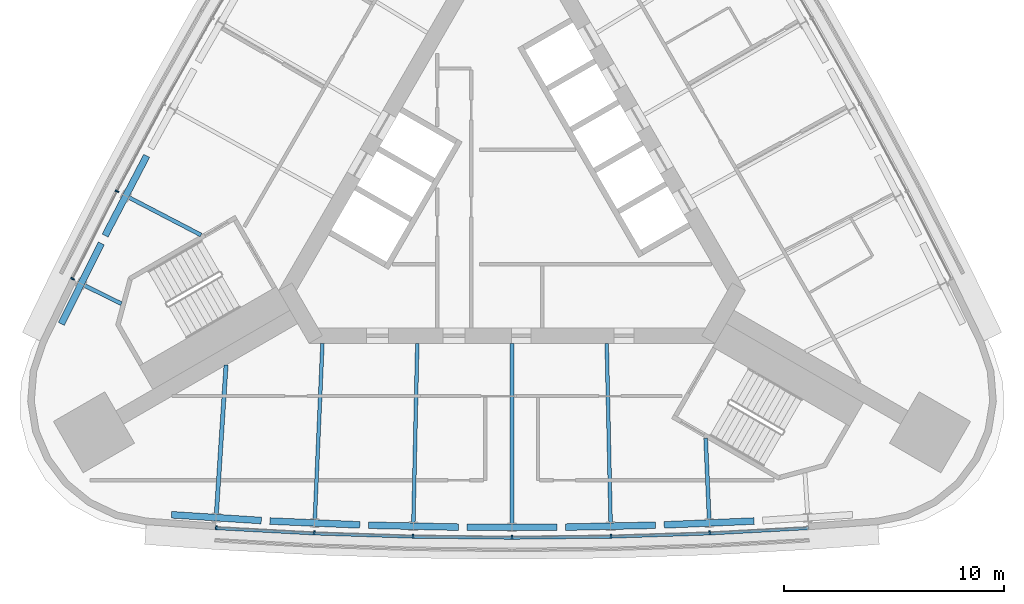
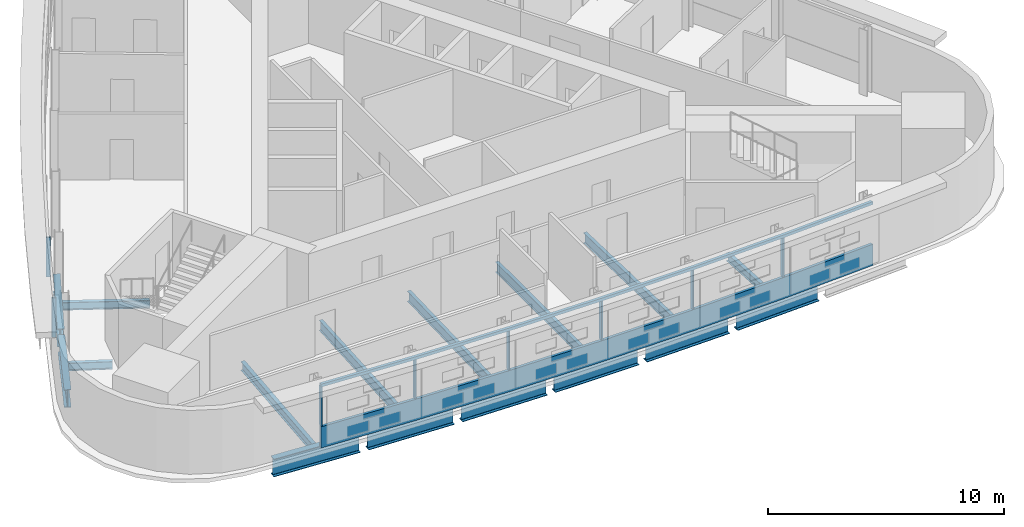
# One storey, part 2 of 10: 16 beams, 10 members, 2 elements without a shape of their own.
"""IFC4 building model written with IfcOpenShell, lengths in metres."""

import ifcopenshell
import ifcopenshell.guid

model = None  # the IFC model being written
_history = None  # IfcOwnerHistory: only IFC2X3 demands one
_inside = {}  # id of a spatial element -> (the spatial element, [elements in it])
_under = {}  # id of a project, library or spatial element -> (it, [spatial elements below it])
_declared = {}  # id of a project -> (the project, [libraries it declares])
_typed = {}  # id of a type object -> (the type object, [elements of that type])
_made_of = {}  # id of a material, layer set ... -> (it, [elements and type objects made of it])


def new_model(schema):
    """Start an empty IFC model of exactly this schema.

    Asked for "IFC4X3", IfcOpenShell would pick the latest addendum, in which some entities
    have other attributes; the version numbers below select the first issue.
    IFC2X3 requires an IfcOwnerHistory on every rooted entity: one is made here for all.
    """
    global model, _history
    if schema == "IFC4X3":
        model = ifcopenshell.file(schema_version=(4, 3, 0, 0))
    else:
        model = ifcopenshell.file(schema=schema)
    _inside.clear()
    _under.clear()
    _declared.clear()
    _typed.clear()
    _made_of.clear()
    _history = None
    if model.schema == "IFC2X3":
        org = make("IfcOrganization", Name="unknown")
        user = make(
            "IfcPersonAndOrganization",
            ThePerson=make("IfcPerson", FamilyName="unknown"),
            TheOrganization=org,
        )
        app = make(
            "IfcApplication",
            ApplicationDeveloper=org,
            Version="unknown",
            ApplicationFullName="unknown",
            ApplicationIdentifier="unknown",
        )
        _history = make(
            "IfcOwnerHistory",
            OwningUser=user,
            OwningApplication=app,
            ChangeAction="ADDED",
            CreationDate=0,
        )
    return model


def make(cls, **values):
    """One entity of the class cls with the attributes given. An attribute that is None is left unset."""
    return model.create_entity(
        cls, **{name: value for name, value in values.items() if value is not None}
    )


def rooted(cls, **values):
    """An entity with a GlobalId (a new one), such as an element, a storey or a relation."""
    return make(cls, GlobalId=ifcopenshell.guid.new(), OwnerHistory=_history, **values)


def si_unit(unit_type, name, prefix=None):
    """IfcSIUnit, for example si_unit("LENGTHUNIT", "METRE", prefix="MILLI")."""
    return make("IfcSIUnit", UnitType=unit_type, Prefix=prefix, Name=name)


def assignment(units):
    """IfcUnitAssignment: the units of a project."""
    return None if units is None else make("IfcUnitAssignment", Units=units)


def point(xyz):
    """IfcCartesianPoint."""
    return None if xyz is None else make("IfcCartesianPoint", Coordinates=xyz)


def direction(xyz):
    """IfcDirection."""
    return None if xyz is None else make("IfcDirection", DirectionRatios=xyz)


def frame(location, z_axis=None, x_axis=None):
    """IfcAxis2Placement3D, a coordinate frame: its origin and axes. An axis left out is left unset."""
    return make(
        "IfcAxis2Placement3D",
        Location=point(location),
        Axis=direction(z_axis),
        RefDirection=direction(x_axis),
    )


def frame_2d(location, x_axis=None):
    """IfcAxis2Placement2D, a coordinate frame in the plane: its origin and x axis."""
    return make(
        "IfcAxis2Placement2D", Location=point(location), RefDirection=direction(x_axis)
    )


def origin():
    """The frame at (0, 0, 0) with its axes left unset."""
    return frame((0.0, 0.0, 0.0))


def origin_2d():
    """The frame at (0, 0) in the plane with its x axis left unset."""
    return frame_2d((0.0, 0.0))


def place(relative_to, where):
    """IfcLocalPlacement: puts the frame where relative to a parent placement (None: the world)."""
    return make(
        "IfcLocalPlacement", PlacementRelTo=relative_to, RelativePlacement=where
    )


def context(
    kind, dimensions, precision=None, world=None, true_north=None, identifier=None
):
    """IfcGeometricRepresentationContext, for example the 3D "Model" context."""
    return make(
        "IfcGeometricRepresentationContext",
        ContextIdentifier=identifier,
        ContextType=kind,
        CoordinateSpaceDimension=dimensions,
        Precision=precision,
        WorldCoordinateSystem=world,
        TrueNorth=true_north,
    )


def subcontext(parent, identifier, kind, view, scale=None):
    """IfcGeometricRepresentationSubContext, for example "Body" below "Model"."""
    return make(
        "IfcGeometricRepresentationSubContext",
        ContextIdentifier=identifier,
        ContextType=kind,
        ParentContext=parent,
        TargetScale=scale,
        TargetView=view,
    )


def project(units=None, contexts=None):
    """IfcProject with its units and contexts."""
    return rooted(
        "IfcProject",
        Name="project",
        RepresentationContexts=contexts,
        UnitsInContext=assignment(units),
    )


def spatial(cls, under=None, at=None, **own):
    """A site, building, storey or space (cls), placed at a placement, below another one or the project."""
    s = rooted(cls, ObjectPlacement=at, **own)
    if under is not None:
        _under.setdefault(under.id(), (under, []))[1].append(s)
    return s


def polyline(points):
    """IfcPolyline through the points."""
    return make("IfcPolyline", Points=[point(p) for p in points])


def profile(cls, at=None, kind="AREA", **sizes):
    """A parametric profile (cls). Its sizes go by their IFC names, for example OverallWidth=200.0."""
    return make(cls, ProfileType=kind, Position=at, **sizes)


def rectangle(**sizes):
    """IfcRectangleProfileDef."""
    return profile("IfcRectangleProfileDef", **sizes)


def i_section(**sizes):
    """IfcIShapeProfileDef."""
    return profile("IfcIShapeProfileDef", **sizes)


def outline(outer, holes=None, kind="AREA"):
    """IfcArbitraryClosedProfileDef: a profile drawn as a closed curve; with holes, ...WithVoids."""
    if holes is None:
        return make("IfcArbitraryClosedProfileDef", ProfileType=kind, OuterCurve=outer)
    return make(
        "IfcArbitraryProfileDefWithVoids",
        ProfileType=kind,
        OuterCurve=outer,
        InnerCurves=holes,
    )


def extrude(swept, where, along, depth):
    """IfcExtrudedAreaSolid: the profile swept, set in the frame where, extruded along a direction by depth."""
    return make(
        "IfcExtrudedAreaSolid",
        SweptArea=swept,
        Position=where,
        ExtrudedDirection=direction(along),
        Depth=depth,
    )


def shape(context_of_items, identifier, shape_type, items):
    """IfcShapeRepresentation: the items that make up one representation, for example the "Body"."""
    return make(
        "IfcShapeRepresentation",
        ContextOfItems=context_of_items,
        RepresentationIdentifier=identifier,
        RepresentationType=shape_type,
        Items=items,
    )


def material(Name=None, Category=None):
    """IfcMaterial."""
    return make("IfcMaterial", Name=Name, Category=Category)


def material_profile(
    of_material, cross_section, Name=None, Category=None, Priority=None
):
    """IfcMaterialProfile: a cross section and its material."""
    return make(
        "IfcMaterialProfile",
        Name=Name,
        Material=of_material,
        Profile=cross_section,
        Priority=Priority,
        Category=Category,
    )


def profile_set(profiles, Name=None, composite=None):
    """IfcMaterialProfileSet."""
    return make(
        "IfcMaterialProfileSet",
        Name=Name,
        MaterialProfiles=profiles,
        CompositeProfile=composite,
    )


def made_of(thing, what):
    """Note that an element or type object is made of a material, layer set ...; save() writes the relation."""
    if what is not None:
        _made_of.setdefault(what.id(), (what, []))[1].append(thing)
    return thing


def type_object(cls, material=None, **own):
    """A type object (cls), such as IfcWallType, which elements share."""
    return made_of(rooted(cls, **own), material)


def element(
    cls,
    number,
    at=None,
    inside=None,
    cuts=None,
    type_object=None,
    material=None,
    context=None,
    identifier="Body",
    shape_type=None,
    held_by="IfcProductDefinitionShape",
    body=None,
    shapes=None,
    **own,
):
    """One element of the class cls, such as IfcWall. Its Tag is "e" and its number.

    at: its placement. inside: the storey or other place that contains it. cuts: it is an
    opening in that element (IfcRelVoidsElement). A single representation is given by context,
    identifier, shape_type and body (its items); several are given by shapes. held_by: the class
    of the entity that holds the representations. save() writes the other relations.
    """
    e = rooted(cls, Tag="e%d" % number, ObjectPlacement=at, **own)
    if body is not None:
        shapes = [shape(context, identifier, shape_type, body)]
    if shapes is not None:
        e.Representation = make(held_by, Representations=shapes)
    if inside is not None:
        _inside.setdefault(inside.id(), (inside, []))[1].append(e)
    if cuts is not None:
        rooted(
            "IfcRelVoidsElement", RelatingBuildingElement=cuts, RelatedOpeningElement=e
        )
    if type_object is not None:
        _typed.setdefault(type_object.id(), (type_object, []))[1].append(e)
    return made_of(e, material)


def aggregate(whole, parts):
    """IfcRelAggregates: a whole, such as a stair, and the parts it consists of."""
    return rooted("IfcRelAggregates", RelatingObject=whole, RelatedObjects=parts)


def save(model, path):
    """Write the relations noted so far, then the file.

    IfcRelAggregates (storeys below a building ...), IfcRelContainedInSpatialStructure (elements
    in a storey), IfcRelDefinesByType, IfcRelAssociatesMaterial and IfcRelDeclares: one each for
    every whole, place, type object, material and project.
    """
    for whole, parts in _under.values():
        aggregate(whole, parts)
    for where, things in _inside.values():
        rooted(
            "IfcRelContainedInSpatialStructure",
            RelatedElements=things,
            RelatingStructure=where,
        )
    for kind, things in _typed.values():
        rooted("IfcRelDefinesByType", RelatedObjects=things, RelatingType=kind)
    for what, things in _made_of.values():
        rooted("IfcRelAssociatesMaterial", RelatedObjects=things, RelatingMaterial=what)
    for by, libraries in _declared.values():
        rooted("IfcRelDeclares", RelatingContext=by, RelatedDefinitions=libraries)
    model.write(path)


model = new_model("IFC4")

# Units and contexts
model_context = context("Model", 3, precision=1e-05, world=origin(), true_north=direction((0.0, 1.0)))
body_context = subcontext(model_context, "Body", "Model", "MODEL_VIEW")
ifc_project = project(units=[si_unit("LENGTHUNIT", "METRE"), si_unit("AREAUNIT", "SQUARE_METRE"), si_unit("VOLUMEUNIT", "CUBIC_METRE"), si_unit("PLANEANGLEUNIT", "RADIAN"), si_unit("MASSUNIT", "GRAM", prefix="KILO")], contexts=[model_context])

# Site, building, storey
site_placement = place(None, origin())
site = spatial("IfcSite", under=ifc_project, at=site_placement, CompositionType="ELEMENT")
building_placement = place(site_placement, origin())
building = spatial("IfcBuilding", under=site, at=building_placement, Name="Noor Cloister Tower", CompositionType="ELEMENT")
storey_placement = place(building_placement, frame((0.0, 0.0, 192.300048828125)))
storey = spatial("IfcBuildingStorey", under=building, at=storey_placement, Name="L49", CompositionType="ELEMENT", Elevation=192.300048828125)

# Curtain wall, member
ifc_material_1 = material(Name="Aluminium 6063-T6 anodised", Category="aluminium")
curtain_wall_type = type_object("IfcCurtainWallType", Name="Ribbon curtain wall, upper tower CW5", PredefinedType="NOTDEFINED", material=ifc_material_1)
curtain_wall_1_placement = place(storey_placement, origin())
curtain_wall_1 = element("IfcCurtainWall", 1, at=curtain_wall_1_placement, inside=storey, type_object=curtain_wall_type, Name="CW5 L49 S run 2", PredefinedType="NOTDEFINED")
ifc_material_2 = material(Name="Aluminium 6063-T6 anodised", Category="aluminium")
member_type_1 = type_object("IfcMemberType", Name="Head transom CW5 150", PredefinedType="USERDEFINED", material=ifc_material_2)
member_1_placement = place(storey_placement, frame((0.0, 0.0, 3.14990234375)))
member_1 = element("IfcMember", 2, at=member_1_placement, type_object=member_type_1, Name="CW5 head transom", ObjectType="TRANSOM", PredefinedType="USERDEFINED", context=body_context, shape_type="SweptSolid", body=[
    extrude(outline(polyline([(-13.490478515625, -15.404052734375), (-8.9970703125, -15.6474609375), (-4.499755859375, -15.79345703125), (0.0, -15.84228515625), (4.499755859375, -15.79345703125), (8.9970703125, -15.6474609375), (13.490478515625, -15.404052734375), (13.48291015625, -15.264404296875), (8.9912109375, -15.507568359375), (4.49658203125, -15.653564453125), (0.0, -15.7021484375), (-4.49658203125, -15.653564453125), (-8.9912109375, -15.507568359375), (-13.48291015625, -15.264404296875), (-13.490478515625, -15.404052734375)])), origin(), (0.0, 0.0, 1.0), 0.150146484375),
])

# Curtain wall, members
curtain_wall_2_placement = place(storey_placement, origin())
curtain_wall_2 = element("IfcCurtainWall", 3, at=curtain_wall_2_placement, inside=storey, type_object=curtain_wall_type, Name="CW5 L49 NW run 1", PredefinedType="NOTDEFINED")
ifc_material_3 = material(Name="Aluminium 6063-T6 anodised", Category="aluminium")
ifc_material_profile_1 = material_profile(ifc_material_3, rectangle(XDim=0.179931640625, YDim=0.070068359375, at=origin_2d()), Name="180 x 70 mullion")
ifc_profile_set_1 = profile_set([ifc_material_profile_1], Name="Aluminium 6063-T6 anodised")
member_type_2 = type_object("IfcMemberType", Name="Mullion CW5 70 x 180", PredefinedType="MULLION", material=ifc_profile_set_1)
member_2_placement = place(storey_placement, frame((-17.9609375, -0.01416015625, 1.099853515625), z_axis=(0.0, 0.0, 1.0), x_axis=(0.88684793719, -0.462061398845, 0.0)))
member_2 = element("IfcMember", 4, at=member_2_placement, type_object=member_type_2, Name="CW5 mullion 6", PredefinedType="MULLION", context=body_context, shape_type="SweptSolid", body=[
    extrude(rectangle(XDim=0.179931640625, YDim=0.070068359375, at=origin_2d()), origin(), (0.0, 0.0, 1.0), 2.050048828125),
])
member_3_placement = place(storey_placement, frame((-19.980712890625, -3.9951171875, 1.099853515625), z_axis=(0.0, 0.0, 1.0), x_axis=(0.891795492306, -0.452438725026, 0.0)))
member_3 = element("IfcMember", 5, at=member_3_placement, type_object=member_type_2, Name="CW5 mullion 7", PredefinedType="MULLION", context=body_context, shape_type="SweptSolid", body=[
    extrude(rectangle(XDim=0.179931640625, YDim=0.070068359375, at=origin_2d()), origin(), (0.0, 0.0, 1.0), 2.050048828125),
])
aggregate(curtain_wall_2, [member_2, member_3])

# Member
member_4_placement = place(storey_placement, frame((-13.4501953125, -15.30615234375, 1.099853515625), z_axis=(0.0, 0.0, 1.0), x_axis=(0.054074316624, 0.99853691383, 0.0)))
member_4 = element("IfcMember", 6, at=member_4_placement, type_object=member_type_2, Name="CW5 mullion 1", PredefinedType="MULLION", context=body_context, shape_type="SweptSolid", body=[
    extrude(rectangle(XDim=0.179931640625, YDim=0.070068359375, at=origin_2d()), origin(), (0.0, 0.0, 1.0), 2.050048828125),
])

member_5_placement = place(storey_placement, frame((-8.992919921875, -15.547607421875, 1.099853515625), z_axis=(0.0, 0.0, 1.0), x_axis=(0.043267059087, 0.999063542322, 0.0)))
member_5 = element("IfcMember", 7, at=member_5_placement, type_object=member_type_2, Name="CW5 mullion 2", PredefinedType="MULLION", context=body_context, shape_type="SweptSolid", body=[
    extrude(rectangle(XDim=0.179931640625, YDim=0.070068359375, at=origin_2d()), origin(), (0.0, 0.0, 1.0), 2.050048828125),
])

member_6_placement = place(storey_placement, frame((-4.49755859375, -15.693603515625, 1.099853515625), z_axis=(0.0, 0.0, 1.0), x_axis=(0.021638596044, 0.999765858169, 0.0)))
member_6 = element("IfcMember", 8, at=member_6_placement, type_object=member_type_2, Name="CW5 mullion 3", PredefinedType="MULLION", context=body_context, shape_type="SweptSolid", body=[
    extrude(rectangle(XDim=0.179931640625, YDim=0.070068359375, at=origin_2d()), origin(), (0.0, 0.0, 1.0), 2.050048828125),
])

member_7_placement = place(storey_placement, frame((0.0, -15.7421875, 1.099853515625), z_axis=(0.0, 0.0, 1.0), x_axis=(0.0, 1.0, 0.0)))
member_7 = element("IfcMember", 9, at=member_7_placement, type_object=member_type_2, Name="CW5 mullion 4", PredefinedType="MULLION", context=body_context, shape_type="SweptSolid", body=[
    extrude(rectangle(XDim=0.179931640625, YDim=0.070068359375, at=origin_2d()), origin(), (0.0, 0.0, 1.0), 2.050048828125),
])

member_8_placement = place(storey_placement, frame((4.49755859375, -15.693603515625, 1.099853515625), z_axis=(0.0, 0.0, 1.0), x_axis=(-0.021638596044, 0.999765858169, 0.0)))
member_8 = element("IfcMember", 10, at=member_8_placement, type_object=member_type_2, Name="CW5 mullion 5", PredefinedType="MULLION", context=body_context, shape_type="SweptSolid", body=[
    extrude(rectangle(XDim=0.179931640625, YDim=0.070068359375, at=origin_2d()), origin(), (0.0, 0.0, 1.0), 2.050048828125),
])

member_9_placement = place(storey_placement, frame((8.992919921875, -15.547607421875, 1.099853515625), z_axis=(0.0, 0.0, 1.0), x_axis=(-0.043267059087, 0.999063542322, 0.0)))
member_9 = element("IfcMember", 11, at=member_9_placement, type_object=member_type_2, Name="CW5 mullion 6", PredefinedType="MULLION", context=body_context, shape_type="SweptSolid", body=[
    extrude(rectangle(XDim=0.179931640625, YDim=0.070068359375, at=origin_2d()), origin(), (0.0, 0.0, 1.0), 2.050048828125),
])

# Beams
ifc_material_4 = material(Name="Steel ASTM A992 Gr 50", Category="steel")
ifc_material_profile_2 = material_profile(ifc_material_4, i_section(OverallWidth=0.177978515625, OverallDepth=0.406005859375, WebThickness=0.0078125, FlangeThickness=0.0126953125, FilletRadius=0.01025390625, at=origin_2d()), Name="W410x60")
ifc_profile_set_2 = profile_set([ifc_material_profile_2], Name="Steel ASTM A992 Gr 50")
beam_type_1 = type_object("IfcBeamType", Name="Radial beam W410x60", PredefinedType="BEAM", material=ifc_profile_set_2)
beam_1_placement = place(storey_placement, frame((-17.4267578125, -0.292724609375, -0.403076171875), z_axis=(0.886867943522, -0.462022998078, 0.0), x_axis=(0.462022998078, 0.886867943522, 0.0)))
element("IfcBeam", 12, at=beam_1_placement, inside=storey, type_object=beam_type_1, Name="Radial beam NW 06 L49", PredefinedType="BEAM", context=body_context, shape_type="SweptSolid", body=[
    extrude(i_section(OverallWidth=0.177978515625, OverallDepth=0.406005859375, WebThickness=0.0078125, FlangeThickness=0.0126953125, FilletRadius=0.01025390625, at=origin_2d()), origin(), (0.0, 0.0, 1.0), 3.70361328125),
])
beam_2_placement = place(storey_placement, frame((-19.455810546875, -4.2919921875, -0.403076171875), z_axis=(0.896592672579, -0.44285616116, 0.0), x_axis=(0.44285616116, 0.896592672579, 0.0)))
element("IfcBeam", 13, at=beam_2_placement, inside=storey, type_object=beam_type_1, Name="Radial beam NW 07 L49", PredefinedType="BEAM", context=body_context, shape_type="SweptSolid", body=[
    extrude(i_section(OverallWidth=0.177978515625, OverallDepth=0.406005859375, WebThickness=0.0078125, FlangeThickness=0.0126953125, FilletRadius=0.01025390625, at=origin_2d()), origin(), (0.0, 0.0, 1.0), 1.884765625),
])
beam_3_placement = place(storey_placement, frame((8.966796875, -14.945556640625, -0.403076171875), z_axis=(-0.043245548975, 0.999064473642, 0.0), x_axis=(-0.999064473642, -0.043245548975, 0.0)))
element("IfcBeam", 14, at=beam_3_placement, inside=storey, type_object=beam_type_1, Name="Radial beam S 06 L49", PredefinedType="BEAM", context=body_context, shape_type="SweptSolid", body=[
    extrude(i_section(OverallWidth=0.177978515625, OverallDepth=0.406005859375, WebThickness=0.0078125, FlangeThickness=0.0126953125, FilletRadius=0.01025390625, at=origin_2d()), origin(), (0.0, 0.0, 1.0), 3.703369140625),
])
ifc_material_5 = material(Name="Steel ASTM A992 Gr 50", Category="steel")
ifc_material_profile_3 = material_profile(ifc_material_5, i_section(OverallWidth=0.19091796875, OverallDepth=0.45703125, WebThickness=0.009033203125, FlangeThickness=0.014404296875, FilletRadius=0.01025390625, at=origin_2d()), Name="W460x74")
ifc_profile_set_3 = profile_set([ifc_material_profile_3], Name="Steel ASTM A992 Gr 50")
beam_type_2 = type_object("IfcBeamType", Name="Radial beam W460x74", PredefinedType="BEAM", material=ifc_profile_set_3)
beam_4_placement = place(storey_placement, frame((-13.44482421875, -14.703125, -0.428466796875), z_axis=(0.064857048454, 0.997894565205, 0.0), x_axis=(-0.997894565205, 0.064857048454, 0.0)))
element("IfcBeam", 15, at=beam_4_placement, inside=storey, type_object=beam_type_2, Name="Radial beam S 01 L49", PredefinedType="BEAM", context=body_context, shape_type="SweptSolid", body=[
    extrude(i_section(OverallWidth=0.19091796875, OverallDepth=0.45703125, WebThickness=0.009033203125, FlangeThickness=0.014404296875, FilletRadius=0.01025390625, at=origin_2d()), origin(), (0.0, 0.0, 1.0), 6.805908203125),
])
ifc_material_6 = material(Name="Steel ASTM A992 Gr 50", Category="steel")
ifc_material_profile_4 = material_profile(ifc_material_6, i_section(OverallWidth=0.166015625, OverallDepth=0.528076171875, WebThickness=0.009765625, FlangeThickness=0.013671875, FilletRadius=0.0126953125, at=origin_2d()), Name="W530x74")
ifc_profile_set_4 = profile_set([ifc_material_profile_4], Name="Steel ASTM A992 Gr 50")
beam_type_3 = type_object("IfcBeamType", Name="Radial beam W530x74", PredefinedType="BEAM", material=ifc_profile_set_4)
beam_5_placement = place(storey_placement, frame((-8.966796875, -14.945556640625, -0.464111328125), z_axis=(0.043261630727, 0.999063777397, 0.0), x_axis=(-0.999063777397, 0.043261630727, 0.0)))
element("IfcBeam", 16, at=beam_5_placement, inside=storey, type_object=beam_type_3, Name="Radial beam S 02 L49", PredefinedType="BEAM", context=body_context, shape_type="SweptSolid", body=[
    extrude(i_section(OverallWidth=0.166015625, OverallDepth=0.528076171875, WebThickness=0.009765625, FlangeThickness=0.013671875, FilletRadius=0.0126953125, at=origin_2d()), origin(), (0.0, 0.0, 1.0), 8.02490234375),
])
beam_6_placement = place(storey_placement, frame((-4.484375, -15.091064453125, -0.464111328125), z_axis=(0.021618992734, 0.999766282265, 0.0), x_axis=(-0.999766282265, 0.021618992734, 0.0)))
element("IfcBeam", 17, at=beam_6_placement, inside=storey, type_object=beam_type_3, Name="Radial beam S 03 L49", PredefinedType="BEAM", context=body_context, shape_type="SweptSolid", body=[
    extrude(i_section(OverallWidth=0.166015625, OverallDepth=0.528076171875, WebThickness=0.009765625, FlangeThickness=0.013671875, FilletRadius=0.0126953125, at=origin_2d()), origin(), (0.0, 0.0, 1.0), 8.164794921875),
])
beam_7_placement = place(storey_placement, frame((0.0, -15.1396484375, -0.464111328125), z_axis=(0.0, 1.0, 0.0), x_axis=(-1.0, 0.0, 0.0)))
element("IfcBeam", 18, at=beam_7_placement, inside=storey, type_object=beam_type_3, Name="Radial beam S 04 L49", PredefinedType="BEAM", context=body_context, shape_type="SweptSolid", body=[
    extrude(i_section(OverallWidth=0.166015625, OverallDepth=0.528076171875, WebThickness=0.009765625, FlangeThickness=0.013671875, FilletRadius=0.0126953125, at=origin_2d()), origin(), (0.0, 0.0, 1.0), 8.21142578125),
])
beam_8_placement = place(storey_placement, frame((4.484375, -15.091064453125, -0.464111328125), z_axis=(-0.021618992734, 0.999766282265, 0.0), x_axis=(-0.999766282265, -0.021618992734, 0.0)))
element("IfcBeam", 19, at=beam_8_placement, inside=storey, type_object=beam_type_3, Name="Radial beam S 05 L49", PredefinedType="BEAM", context=body_context, shape_type="SweptSolid", body=[
    extrude(i_section(OverallWidth=0.166015625, OverallDepth=0.528076171875, WebThickness=0.009765625, FlangeThickness=0.013671875, FilletRadius=0.0126953125, at=origin_2d()), origin(), (0.0, 0.0, 1.0), 8.164794921875),
])

# Member
ifc_material_7 = material(Name="Aluminium 6063-T6 anodised", Category="aluminium")
member_type_3 = type_object("IfcMemberType", Name="Sill transom CW5 1100", PredefinedType="USERDEFINED", material=ifc_material_7)
member_10_placement = place(storey_placement, origin())
member_10 = element("IfcMember", 20, at=member_10_placement, type_object=member_type_3, Name="CW5 sill transom", ObjectType="TRANSOM", PredefinedType="USERDEFINED", context=body_context, shape_type="SweptSolid", body=[
    extrude(outline(polyline([(-13.490478515625, -15.404052734375), (-8.9970703125, -15.6474609375), (-4.499755859375, -15.79345703125), (0.0, -15.84228515625), (4.499755859375, -15.79345703125), (8.9970703125, -15.6474609375), (13.490478515625, -15.404052734375), (13.48291015625, -15.264404296875), (8.9912109375, -15.507568359375), (4.49658203125, -15.653564453125), (0.0, -15.7021484375), (-4.49658203125, -15.653564453125), (-8.9912109375, -15.507568359375), (-13.48291015625, -15.264404296875), (-13.490478515625, -15.404052734375)])), origin(), (0.0, 0.0, 1.0), 1.099853515625),
])

aggregate(curtain_wall_1, [member_4, member_5, member_6, member_7, member_8, member_9, member_10, member_1])

# Beams
ifc_material_8 = material(Name="Steel ASTM A992 Gr 50", Category="steel")
ifc_material_profile_5 = material_profile(ifc_material_8, i_section(OverallWidth=0.304931640625, OverallDepth=0.9189453125, WebThickness=0.017333984375, FlangeThickness=0.02783203125, FilletRadius=0.01904296875, at=origin_2d()), Name="W920x253")
ifc_profile_set_5 = profile_set([ifc_material_profile_5], Name="Steel ASTM A992 Gr 50")
beam_type_4 = type_object("IfcBeamType", Name="Transfer girder W920x253", PredefinedType="BEAM", material=ifc_profile_set_5)
beam_9_placement = place(storey_placement, frame((-16.61181640625, 1.599365234375, -0.65966796875), z_axis=(-0.462484490753, -0.886627371455, 0.0), x_axis=(0.886627371455, -0.462484490753, 0.0)))
element("IfcBeam", 21, at=beam_9_placement, inside=storey, type_object=beam_type_4, Name="Transfer girder NW 06 L49", PredefinedType="BEAM", context=body_context, shape_type="SweptSolid", body=[
    extrude(i_section(OverallWidth=0.304931640625, OverallDepth=0.9189453125, WebThickness=0.017333984375, FlangeThickness=0.02783203125, FilletRadius=0.01904296875, at=origin_2d()), origin(), (0.0, 0.0, 1.0), 4.09423828125),
])
beam_10_placement = place(storey_placement, frame((-18.679931640625, -2.3798828125, -0.65966796875), z_axis=(-0.443369127314, -0.896339119388, 0.0), x_axis=(0.896339119388, -0.443369127314, 0.0)))
element("IfcBeam", 22, at=beam_10_placement, inside=storey, type_object=beam_type_4, Name="Transfer girder NW 07 L49", PredefinedType="BEAM", context=body_context, shape_type="SweptSolid", body=[
    extrude(i_section(OverallWidth=0.304931640625, OverallDepth=0.9189453125, WebThickness=0.017333984375, FlangeThickness=0.02783203125, FilletRadius=0.01904296875, at=origin_2d()), origin(), (0.0, 0.0, 1.0), 4.093994140625),
])
beam_11_placement = place(storey_placement, frame((-15.486572265625, -14.724609375, -0.65966796875), z_axis=(0.997939374262, -0.064163894037, 0.0), x_axis=(0.064163894037, 0.997939374262, 0.0)))
element("IfcBeam", 23, at=beam_11_placement, inside=storey, type_object=beam_type_4, Name="Transfer girder S 01 L49", PredefinedType="BEAM", context=body_context, shape_type="SweptSolid", body=[
    extrude(i_section(OverallWidth=0.304931640625, OverallDepth=0.9189453125, WebThickness=0.017333984375, FlangeThickness=0.02783203125, FilletRadius=0.01904296875, at=origin_2d()), origin(), (0.0, 0.0, 1.0), 4.09423828125),
])
beam_12_placement = place(storey_placement, frame((-11.01123046875, -15.0107421875, -0.65966796875), z_axis=(0.999082968702, -0.04281613773, 0.0), x_axis=(0.04281613773, 0.999082968702, 0.0)))
element("IfcBeam", 24, at=beam_12_placement, inside=storey, type_object=beam_type_4, Name="Transfer girder S 02 L49", PredefinedType="BEAM", context=body_context, shape_type="SweptSolid", body=[
    extrude(i_section(OverallWidth=0.304931640625, OverallDepth=0.9189453125, WebThickness=0.017333984375, FlangeThickness=0.02783203125, FilletRadius=0.01904296875, at=origin_2d()), origin(), (0.0, 0.0, 1.0), 4.093994140625),
])
for number, where, z_axis, x_axis, name in (
    (25, (-6.53076171875, -15.199951171875, -0.65966796875), (0.999770833744, -0.021407475207, 0.0), (0.021407475207, 0.999770833744, 0.0), "Transfer girder S 03 L49"),
    (26, (-2.047119140625, -15.292236328125, -0.65966796875), (1.0, 0.0, 0.0), (0.0, 1.0, 0.0), "Transfer girder S 04 L49"),
    (27, (2.4375, -15.28759765625, -0.65966796875), (0.999770833744, 0.021407475207, 0.0), (-0.021407475207, 0.999770833744, 0.0), "Transfer girder S 05 L49"),
):
    element("IfcBeam", number, at=place(storey_placement, frame(where, z_axis=z_axis, x_axis=x_axis)), inside=storey, type_object=beam_type_4, Name=name, PredefinedType="BEAM", context=body_context, shape_type="SweptSolid", body=[
        extrude(i_section(OverallWidth=0.304931640625, OverallDepth=0.9189453125, WebThickness=0.017333984375, FlangeThickness=0.02783203125, FilletRadius=0.01904296875, at=origin_2d()), origin(), (0.0, 0.0, 1.0), 4.09423828125),
    ])
beam_13_placement = place(storey_placement, frame((6.9208984375, -15.18603515625, -0.65966796875), z_axis=(0.999082968702, 0.04281613773, 0.0), x_axis=(-0.04281613773, 0.999082968702, 0.0)))
element("IfcBeam", 28, at=beam_13_placement, inside=storey, type_object=beam_type_4, Name="Transfer girder S 06 L49", PredefinedType="BEAM", context=body_context, shape_type="SweptSolid", body=[
    extrude(i_section(OverallWidth=0.304931640625, OverallDepth=0.9189453125, WebThickness=0.017333984375, FlangeThickness=0.02783203125, FilletRadius=0.01904296875, at=origin_2d()), origin(), (0.0, 0.0, 1.0), 4.093994140625),
])

save(model, "model.ifc")
